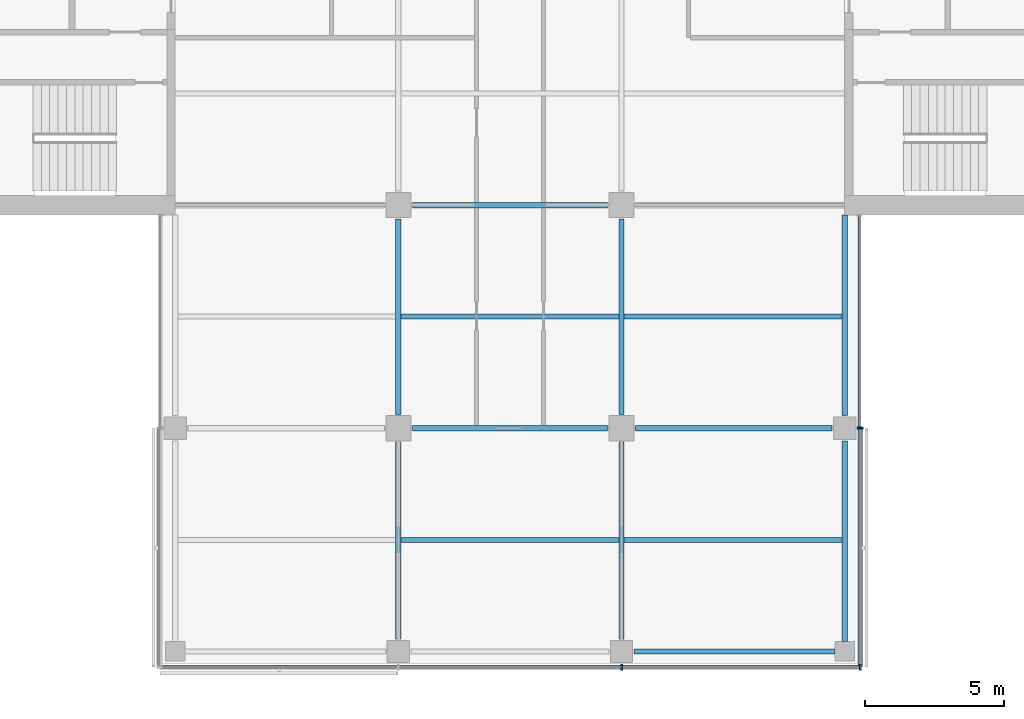
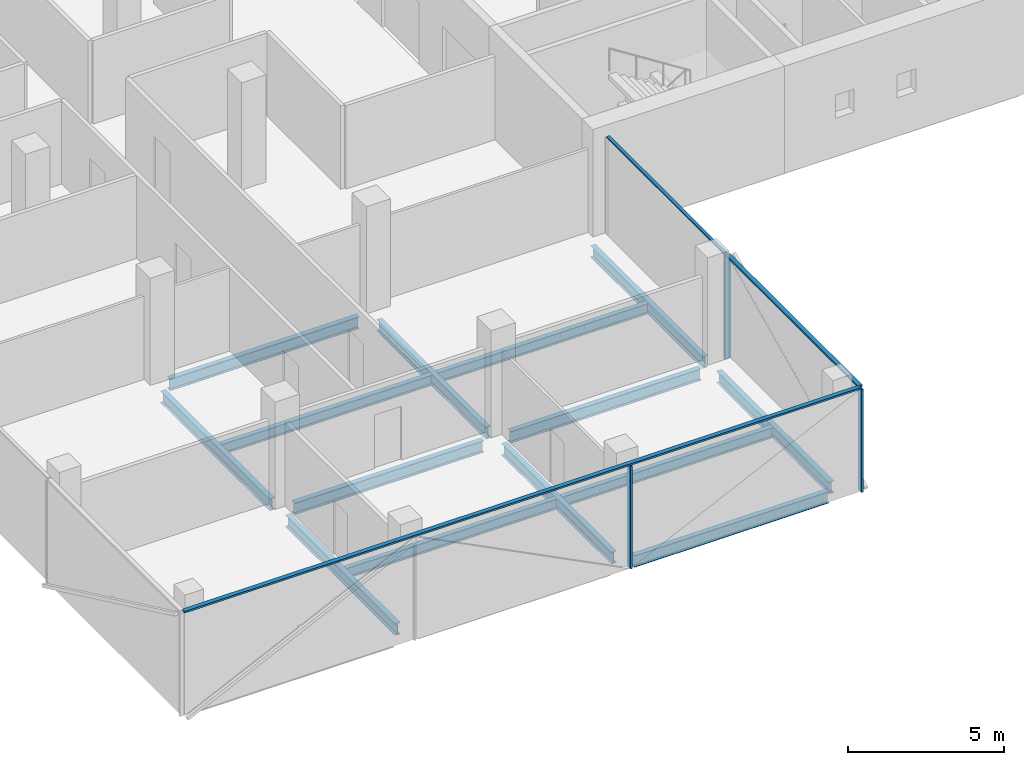
# One storey, part 5 of 22: 14 beams, 7 members, 3 elements without a shape of their own.
"""IFC4 building model written with IfcOpenShell, lengths in metres."""

import ifcopenshell
import ifcopenshell.guid

model = None  # the IFC model being written
_history = None  # IfcOwnerHistory: only IFC2X3 demands one
_inside = {}  # id of a spatial element -> (the spatial element, [elements in it])
_under = {}  # id of a project, library or spatial element -> (it, [spatial elements below it])
_declared = {}  # id of a project -> (the project, [libraries it declares])
_typed = {}  # id of a type object -> (the type object, [elements of that type])
_made_of = {}  # id of a material, layer set ... -> (it, [elements and type objects made of it])


def new_model(schema):
    """Start an empty IFC model of exactly this schema.

    Asked for "IFC4X3", IfcOpenShell would pick the latest addendum, in which some entities
    have other attributes; the version numbers below select the first issue.
    IFC2X3 requires an IfcOwnerHistory on every rooted entity: one is made here for all.
    """
    global model, _history
    if schema == "IFC4X3":
        model = ifcopenshell.file(schema_version=(4, 3, 0, 0))
    else:
        model = ifcopenshell.file(schema=schema)
    _inside.clear()
    _under.clear()
    _declared.clear()
    _typed.clear()
    _made_of.clear()
    _history = None
    if model.schema == "IFC2X3":
        org = make("IfcOrganization", Name="unknown")
        user = make(
            "IfcPersonAndOrganization",
            ThePerson=make("IfcPerson", FamilyName="unknown"),
            TheOrganization=org,
        )
        app = make(
            "IfcApplication",
            ApplicationDeveloper=org,
            Version="unknown",
            ApplicationFullName="unknown",
            ApplicationIdentifier="unknown",
        )
        _history = make(
            "IfcOwnerHistory",
            OwningUser=user,
            OwningApplication=app,
            ChangeAction="ADDED",
            CreationDate=0,
        )
    return model


def make(cls, **values):
    """One entity of the class cls with the attributes given. An attribute that is None is left unset."""
    return model.create_entity(
        cls, **{name: value for name, value in values.items() if value is not None}
    )


def rooted(cls, **values):
    """An entity with a GlobalId (a new one), such as an element, a storey or a relation."""
    return make(cls, GlobalId=ifcopenshell.guid.new(), OwnerHistory=_history, **values)


def si_unit(unit_type, name, prefix=None):
    """IfcSIUnit, for example si_unit("LENGTHUNIT", "METRE", prefix="MILLI")."""
    return make("IfcSIUnit", UnitType=unit_type, Prefix=prefix, Name=name)


def assignment(units):
    """IfcUnitAssignment: the units of a project."""
    return None if units is None else make("IfcUnitAssignment", Units=units)


def point(xyz):
    """IfcCartesianPoint."""
    return None if xyz is None else make("IfcCartesianPoint", Coordinates=xyz)


def direction(xyz):
    """IfcDirection."""
    return None if xyz is None else make("IfcDirection", DirectionRatios=xyz)


def frame(location, z_axis=None, x_axis=None):
    """IfcAxis2Placement3D, a coordinate frame: its origin and axes. An axis left out is left unset."""
    return make(
        "IfcAxis2Placement3D",
        Location=point(location),
        Axis=direction(z_axis),
        RefDirection=direction(x_axis),
    )


def frame_2d(location, x_axis=None):
    """IfcAxis2Placement2D, a coordinate frame in the plane: its origin and x axis."""
    return make(
        "IfcAxis2Placement2D", Location=point(location), RefDirection=direction(x_axis)
    )


def origin():
    """The frame at (0, 0, 0) with its axes left unset."""
    return frame((0.0, 0.0, 0.0))


def origin_2d():
    """The frame at (0, 0) in the plane with its x axis left unset."""
    return frame_2d((0.0, 0.0))


def place(relative_to, where):
    """IfcLocalPlacement: puts the frame where relative to a parent placement (None: the world)."""
    return make(
        "IfcLocalPlacement", PlacementRelTo=relative_to, RelativePlacement=where
    )


def context(
    kind, dimensions, precision=None, world=None, true_north=None, identifier=None
):
    """IfcGeometricRepresentationContext, for example the 3D "Model" context."""
    return make(
        "IfcGeometricRepresentationContext",
        ContextIdentifier=identifier,
        ContextType=kind,
        CoordinateSpaceDimension=dimensions,
        Precision=precision,
        WorldCoordinateSystem=world,
        TrueNorth=true_north,
    )


def subcontext(parent, identifier, kind, view, scale=None):
    """IfcGeometricRepresentationSubContext, for example "Body" below "Model"."""
    return make(
        "IfcGeometricRepresentationSubContext",
        ContextIdentifier=identifier,
        ContextType=kind,
        ParentContext=parent,
        TargetScale=scale,
        TargetView=view,
    )


def project(units=None, contexts=None):
    """IfcProject with its units and contexts."""
    return rooted(
        "IfcProject",
        Name="project",
        RepresentationContexts=contexts,
        UnitsInContext=assignment(units),
    )


def spatial(cls, under=None, at=None, **own):
    """A site, building, storey or space (cls), placed at a placement, below another one or the project."""
    s = rooted(cls, ObjectPlacement=at, **own)
    if under is not None:
        _under.setdefault(under.id(), (under, []))[1].append(s)
    return s


def profile(cls, at=None, kind="AREA", **sizes):
    """A parametric profile (cls). Its sizes go by their IFC names, for example OverallWidth=200.0."""
    return make(cls, ProfileType=kind, Position=at, **sizes)


def rectangle(**sizes):
    """IfcRectangleProfileDef."""
    return profile("IfcRectangleProfileDef", **sizes)


def i_section(**sizes):
    """IfcIShapeProfileDef."""
    return profile("IfcIShapeProfileDef", **sizes)


def extrude(swept, where, along, depth):
    """IfcExtrudedAreaSolid: the profile swept, set in the frame where, extruded along a direction by depth."""
    return make(
        "IfcExtrudedAreaSolid",
        SweptArea=swept,
        Position=where,
        ExtrudedDirection=direction(along),
        Depth=depth,
    )


def shape(context_of_items, identifier, shape_type, items):
    """IfcShapeRepresentation: the items that make up one representation, for example the "Body"."""
    return make(
        "IfcShapeRepresentation",
        ContextOfItems=context_of_items,
        RepresentationIdentifier=identifier,
        RepresentationType=shape_type,
        Items=items,
    )


def material(Name=None, Category=None):
    """IfcMaterial."""
    return make("IfcMaterial", Name=Name, Category=Category)


def material_profile(
    of_material, cross_section, Name=None, Category=None, Priority=None
):
    """IfcMaterialProfile: a cross section and its material."""
    return make(
        "IfcMaterialProfile",
        Name=Name,
        Material=of_material,
        Profile=cross_section,
        Priority=Priority,
        Category=Category,
    )


def profile_set(profiles, Name=None, composite=None):
    """IfcMaterialProfileSet."""
    return make(
        "IfcMaterialProfileSet",
        Name=Name,
        MaterialProfiles=profiles,
        CompositeProfile=composite,
    )


def made_of(thing, what):
    """Note that an element or type object is made of a material, layer set ...; save() writes the relation."""
    if what is not None:
        _made_of.setdefault(what.id(), (what, []))[1].append(thing)
    return thing


def type_object(cls, material=None, **own):
    """A type object (cls), such as IfcWallType, which elements share."""
    return made_of(rooted(cls, **own), material)


def element(
    cls,
    number,
    at=None,
    inside=None,
    cuts=None,
    type_object=None,
    material=None,
    context=None,
    identifier="Body",
    shape_type=None,
    held_by="IfcProductDefinitionShape",
    body=None,
    shapes=None,
    **own,
):
    """One element of the class cls, such as IfcWall. Its Tag is "e" and its number.

    at: its placement. inside: the storey or other place that contains it. cuts: it is an
    opening in that element (IfcRelVoidsElement). A single representation is given by context,
    identifier, shape_type and body (its items); several are given by shapes. held_by: the class
    of the entity that holds the representations. save() writes the other relations.
    """
    e = rooted(cls, Tag="e%d" % number, ObjectPlacement=at, **own)
    if body is not None:
        shapes = [shape(context, identifier, shape_type, body)]
    if shapes is not None:
        e.Representation = make(held_by, Representations=shapes)
    if inside is not None:
        _inside.setdefault(inside.id(), (inside, []))[1].append(e)
    if cuts is not None:
        rooted(
            "IfcRelVoidsElement", RelatingBuildingElement=cuts, RelatedOpeningElement=e
        )
    if type_object is not None:
        _typed.setdefault(type_object.id(), (type_object, []))[1].append(e)
    return made_of(e, material)


def aggregate(whole, parts):
    """IfcRelAggregates: a whole, such as a stair, and the parts it consists of."""
    return rooted("IfcRelAggregates", RelatingObject=whole, RelatedObjects=parts)


def save(model, path):
    """Write the relations noted so far, then the file.

    IfcRelAggregates (storeys below a building ...), IfcRelContainedInSpatialStructure (elements
    in a storey), IfcRelDefinesByType, IfcRelAssociatesMaterial and IfcRelDeclares: one each for
    every whole, place, type object, material and project.
    """
    for whole, parts in _under.values():
        aggregate(whole, parts)
    for where, things in _inside.values():
        rooted(
            "IfcRelContainedInSpatialStructure",
            RelatedElements=things,
            RelatingStructure=where,
        )
    for kind, things in _typed.values():
        rooted("IfcRelDefinesByType", RelatedObjects=things, RelatingType=kind)
    for what, things in _made_of.values():
        rooted("IfcRelAssociatesMaterial", RelatedObjects=things, RelatingMaterial=what)
    for by, libraries in _declared.values():
        rooted("IfcRelDeclares", RelatingContext=by, RelatedDefinitions=libraries)
    model.write(path)


model = new_model("IFC4")

# Units and contexts
model_context = context("Model", 3, precision=1e-05, world=origin(), true_north=direction((0.0, 1.0)))
body_context = subcontext(model_context, "Body", "Model", "MODEL_VIEW")
ifc_project = project(units=[si_unit("LENGTHUNIT", "METRE"), si_unit("AREAUNIT", "SQUARE_METRE"), si_unit("VOLUMEUNIT", "CUBIC_METRE"), si_unit("PLANEANGLEUNIT", "RADIAN"), si_unit("MASSUNIT", "GRAM", prefix="KILO")], contexts=[model_context])

# Site, building, storey
site_placement = place(None, origin())
site = spatial("IfcSite", under=ifc_project, at=site_placement, CompositionType="ELEMENT")
building_placement = place(site_placement, origin())
building = spatial("IfcBuilding", under=site, at=building_placement, Name="Crosswind Convention Tower", CompositionType="ELEMENT")
storey_placement = place(building_placement, frame((0.0, 0.0, 167.300048828125)))
storey = spatial("IfcBuildingStorey", under=building, at=storey_placement, Name="L35", CompositionType="ELEMENT", Elevation=167.300048828125)

# Beams
ifc_material_1 = material(Name="Steel S355", Category="steel")
ifc_material_profile_1 = material_profile(ifc_material_1, i_section(OverallWidth=0.18994140625, OverallDepth=0.45361328125, WebThickness=0.008544921875, FlangeThickness=0.0126953125, FilletRadius=0.01025390625, at=origin_2d()), Name="UB 457x191x67")
ifc_profile_set_1 = profile_set([ifc_material_profile_1], Name="Steel S355")
beam_type_1 = type_object("IfcBeamType", Name="Edge beam UB 457x191x67", PredefinedType="SPANDREL", material=ifc_profile_set_1)
for number, where, z_axis, x_axis, name in (
    (1, (129.449951171875, 72.0, -0.52685546875), (1.0, 0.0, 0.0), (0.0, 1.0, 0.0), "B16 L35 edge beam 14"),
    (2, (137.0, 72.35009765625, -0.52685546875), (0.0, 1.0, 0.0), (-1.0, 0.0, 0.0), "B16 L35 edge beam 16"),
    (3, (137.0, 80.449951171875, -0.52685546875), (0.0, 1.0, 0.0), (-1.0, 0.0, 0.0), "B16 L35 edge beam 17"),
):
    element("IfcBeam", number, at=place(storey_placement, frame(where, z_axis=z_axis, x_axis=x_axis)), inside=storey, type_object=beam_type_1, Name=name, PredefinedType="SPANDREL", context=body_context, shape_type="SweptSolid", body=[
        extrude(i_section(OverallWidth=0.18994140625, OverallDepth=0.45361328125, WebThickness=0.008544921875, FlangeThickness=0.0126953125, FilletRadius=0.01025390625, at=origin_2d()), origin(), (0.0, 0.0, 1.0), 7.199951171875),
    ])
ifc_material_profile_2 = material_profile(ifc_material_1, i_section(OverallWidth=0.19140625, OverallDepth=0.460205078125, WebThickness=0.010009765625, FlangeThickness=0.01611328125, FilletRadius=0.01025390625, at=origin_2d()), Name="UB 457x191x82")
ifc_profile_set_2 = profile_set([ifc_material_profile_2], Name="Steel S355")
beam_type_2 = type_object("IfcBeamType", Name="Girder UB 457x191x82", PredefinedType="BEAM", material=ifc_profile_set_2)
beam_1_placement = place(storey_placement, frame((121.0, 72.449951171875, -0.530029296875), z_axis=(0.0, 1.0, 0.0), x_axis=(-1.0, 0.0, 0.0)))
element("IfcBeam", 4, at=beam_1_placement, inside=storey, type_object=beam_type_2, Name="B3 L35 girder 3", PredefinedType="BEAM", context=body_context, shape_type="SweptSolid", body=[
    extrude(i_section(OverallWidth=0.19140625, OverallDepth=0.460205078125, WebThickness=0.010009765625, FlangeThickness=0.01611328125, FilletRadius=0.01025390625, at=origin_2d()), origin(), (0.0, 0.0, 1.0), 7.050048828125),
])
for number, where, z_axis, x_axis, name in (
    (5, (121.0, 80.5, -0.530029296875), (0.0, 1.0, 0.0), (-1.0, 0.0, 0.0), "B3 L35 girder 4"),
    (6, (121.5, 80.0, -0.530029296875), (1.0, 0.0, 0.0), (0.0, 1.0, 0.0), "B3 L35 girder 10"),
    (7, (121.5, 88.0, -0.530029296875), (1.0, 0.0, 0.0), (0.0, 1.0, 0.0), "B3 L35 girder 11"),
):
    element("IfcBeam", number, at=place(storey_placement, frame(where, z_axis=z_axis, x_axis=x_axis)), inside=storey, type_object=beam_type_2, Name=name, PredefinedType="BEAM", context=body_context, shape_type="SweptSolid", body=[
        extrude(i_section(OverallWidth=0.19140625, OverallDepth=0.460205078125, WebThickness=0.010009765625, FlangeThickness=0.01611328125, FilletRadius=0.01025390625, at=origin_2d()), origin(), (0.0, 0.0, 1.0), 7.0),
    ])
beam_2_placement = place(storey_placement, frame((129.0, 72.449951171875, -0.530029296875), z_axis=(0.0, 1.0, 0.0), x_axis=(-1.0, 0.0, 0.0)))
element("IfcBeam", 8, at=beam_2_placement, inside=storey, type_object=beam_type_2, Name="B3 L35 girder 16", PredefinedType="BEAM", context=body_context, shape_type="SweptSolid", body=[
    extrude(i_section(OverallWidth=0.19140625, OverallDepth=0.460205078125, WebThickness=0.010009765625, FlangeThickness=0.01611328125, FilletRadius=0.01025390625, at=origin_2d()), origin(), (0.0, 0.0, 1.0), 7.050048828125),
])
beam_3_placement = place(storey_placement, frame((129.0, 80.5, -0.530029296875), z_axis=(0.0, 1.0, 0.0), x_axis=(-1.0, 0.0, 0.0)))
element("IfcBeam", 9, at=beam_3_placement, inside=storey, type_object=beam_type_2, Name="B3 L35 girder 17", PredefinedType="BEAM", context=body_context, shape_type="SweptSolid", body=[
    extrude(i_section(OverallWidth=0.19140625, OverallDepth=0.460205078125, WebThickness=0.010009765625, FlangeThickness=0.01611328125, FilletRadius=0.01025390625, at=origin_2d()), origin(), (0.0, 0.0, 1.0), 7.0),
])
beam_4_placement = place(storey_placement, frame((129.5, 80.0, -0.530029296875), z_axis=(1.0, 0.0, 0.0), x_axis=(0.0, 1.0, 0.0)))
element("IfcBeam", 10, at=beam_4_placement, inside=storey, type_object=beam_type_2, Name="B3 L35 girder 23", PredefinedType="BEAM", context=body_context, shape_type="SweptSolid", body=[
    extrude(i_section(OverallWidth=0.19140625, OverallDepth=0.460205078125, WebThickness=0.010009765625, FlangeThickness=0.01611328125, FilletRadius=0.01025390625, at=origin_2d()), origin(), (0.0, 0.0, 1.0), 7.050048828125),
])

# Curtain wall, member
ifc_material_2 = material(Name="Aluminium unitised curtain wall", Category="aluminium")
curtain_wall_type_1 = type_object("IfcCurtainWallType", Name="CORE END SLOT WALL 160", PredefinedType="USERDEFINED", material=ifc_material_2)
curtain_wall_1_placement = place(storey_placement, origin())
curtain_wall_1 = element("IfcCurtainWall", 11, at=curtain_wall_1_placement, inside=storey, type_object=curtain_wall_type_1, Name="CW6 L35 S-E.1-2 slot", ObjectType="UNITISED", PredefinedType="USERDEFINED")
ifc_material_3 = material(Name="Aluminium mullion", Category="aluminium")
ifc_material_profile_3 = material_profile(ifc_material_3, rectangle(XDim=0.159912109375, YDim=0.050048828125, at=origin_2d()), Name="AL 160X50")
ifc_profile_set_3 = profile_set([ifc_material_profile_3], Name="Aluminium mullion")
member_type_1 = type_object("IfcMemberType", Name="MULLION 50X160", PredefinedType="MULLION", material=ifc_profile_set_3)
member_1_placement = place(storey_placement, frame((137.530029296875, 80.02490234375, -0.300048828125), z_axis=(0.0, 0.0, 1.0), x_axis=(1.0, 0.0, 0.0)))
member_1 = element("IfcMember", 12, at=member_1_placement, type_object=member_type_1, Name="CW6 mullion 1", PredefinedType="MULLION", context=body_context, shape_type="SweptSolid", body=[
    extrude(rectangle(XDim=0.159912109375, YDim=0.050048828125, at=origin_2d()), origin(), (0.0, 0.0, 1.0), 4.050048828125),
])

# Curtain wall, members
curtain_wall_type_2 = type_object("IfcCurtainWallType", Name="OFFICE UNITISED WALL 220", PredefinedType="USERDEFINED", material=ifc_material_2)
curtain_wall_2_placement = place(storey_placement, origin())
curtain_wall_2 = element("IfcCurtainWall", 13, at=curtain_wall_2_placement, inside=storey, type_object=curtain_wall_type_2, Name="CW3 L35 S-TIP 1", ObjectType="UNITISED", PredefinedType="USERDEFINED")
ifc_material_profile_4 = material_profile(ifc_material_3, rectangle(XDim=0.219970703125, YDim=0.070068359375, at=origin_2d()), Name="AL 220X70")
ifc_profile_set_4 = profile_set([ifc_material_profile_4], Name="Aluminium mullion")
member_type_2 = type_object("IfcMemberType", Name="MULLION 70X220", PredefinedType="MULLION", material=ifc_profile_set_4)
member_2_placement = place(storey_placement, frame((129.0, 71.43994140625, -0.300048828125), z_axis=(0.0, 0.0, 1.0), x_axis=(0.0, -1.0, 0.0)))
member_2 = element("IfcMember", 14, at=member_2_placement, type_object=member_type_2, Name="CW3 mullion 3", PredefinedType="MULLION", context=body_context, shape_type="SweptSolid", body=[
    extrude(rectangle(XDim=0.219970703125, YDim=0.070068359375, at=origin_2d()), origin(), (0.0, 0.0, 1.0), 4.030029296875),
])
member_3_placement = place(storey_placement, frame((137.56005859375, 71.43994140625, -0.300048828125), z_axis=(0.0, 0.0, 1.0), x_axis=(0.0, -1.0, 0.0)))
member_3 = element("IfcMember", 15, at=member_3_placement, type_object=member_type_2, Name="CW3 mullion 4", PredefinedType="MULLION", context=body_context, shape_type="SweptSolid", body=[
    extrude(rectangle(XDim=0.219970703125, YDim=0.070068359375, at=origin_2d()), origin(), (0.0, 0.0, 1.0), 4.030029296875),
])

# Curtain wall, member
curtain_wall_3_placement = place(storey_placement, origin())
curtain_wall_3 = element("IfcCurtainWall", 16, at=curtain_wall_3_placement, inside=storey, type_object=curtain_wall_type_2, Name="CW3 L35 S-E 1", ObjectType="UNITISED", PredefinedType="USERDEFINED")
member_4_placement = place(storey_placement, frame((137.56005859375, 80.0, -0.300048828125), z_axis=(0.0, 0.0, 1.0), x_axis=(1.0, 0.0, 0.0)))
member_4 = element("IfcMember", 17, at=member_4_placement, type_object=member_type_2, Name="CW3 mullion 2", PredefinedType="MULLION", context=body_context, shape_type="SweptSolid", body=[
    extrude(rectangle(XDim=0.219970703125, YDim=0.070068359375, at=origin_2d()), origin(), (0.0, 0.0, 1.0), 4.030029296875),
])

# Beams
ifc_material_profile_5 = material_profile(ifc_material_1, i_section(OverallWidth=0.177734375, OverallDepth=0.406494140625, WebThickness=0.0078125, FlangeThickness=0.0126953125, FilletRadius=0.01025390625, at=origin_2d()), Name="UB 406x178x60")
ifc_profile_set_5 = profile_set([ifc_material_profile_5], Name="Steel S355")
beam_type_3 = type_object("IfcBeamType", Name="Secondary beam UB 406x178x60", PredefinedType="JOIST", material=ifc_profile_set_5)
for number, where, z_axis, x_axis, name in (
    (18, (121.095703125, 76.0, -0.503173828125), (1.0, 0.0, 0.0), (0.0, 1.0, 0.0), "B10 L35 secondary beam 11"),
    (19, (121.095703125, 84.0, -0.503173828125), (1.0, 0.0, 0.0), (0.0, 1.0, 0.0), "B10 L35 secondary beam 12"),
):
    element("IfcBeam", number, at=place(storey_placement, frame(where, z_axis=z_axis, x_axis=x_axis)), inside=storey, type_object=beam_type_3, Name=name, PredefinedType="JOIST", context=body_context, shape_type="SweptSolid", body=[
        extrude(i_section(OverallWidth=0.177734375, OverallDepth=0.406494140625, WebThickness=0.0078125, FlangeThickness=0.0126953125, FilletRadius=0.01025390625, at=origin_2d()), origin(), (0.0, 0.0, 1.0), 7.80859375),
    ])
for number, where, z_axis, x_axis, name in (
    (20, (129.095703125, 76.0, -0.503173828125), (1.0, 0.0, 0.0), (0.0, 1.0, 0.0), "B10 L35 secondary beam 18"),
    (21, (129.095703125, 84.0, -0.503173828125), (1.0, 0.0, 0.0), (0.0, 1.0, 0.0), "B10 L35 secondary beam 19"),
):
    element("IfcBeam", number, at=place(storey_placement, frame(where, z_axis=z_axis, x_axis=x_axis)), inside=storey, type_object=beam_type_3, Name=name, PredefinedType="JOIST", context=body_context, shape_type="SweptSolid", body=[
        extrude(i_section(OverallWidth=0.177734375, OverallDepth=0.406494140625, WebThickness=0.0078125, FlangeThickness=0.0126953125, FilletRadius=0.01025390625, at=origin_2d()), origin(), (0.0, 0.0, 1.0), 7.809326171875),
    ])

# Member
ifc_material_4 = material(Name="Aluminium transom", Category="aluminium")
ifc_material_profile_6 = material_profile(ifc_material_4, rectangle(XDim=0.1201171875, YDim=0.050048828125, at=origin_2d()), Name="AL 120X50")
ifc_profile_set_6 = profile_set([ifc_material_profile_6], Name="Aluminium transom")
member_type_3 = type_object("IfcMemberType", Name="TRANSOM 50X120", PredefinedType="USERDEFINED", material=ifc_profile_set_6)
member_5_placement = place(storey_placement, frame((137.530029296875, 80.050048828125, 3.77490234375), z_axis=(0.0, 1.0, 0.0), x_axis=(-1.0, 0.0, 0.0)))
member_5 = element("IfcMember", 22, at=member_5_placement, type_object=member_type_3, Name="CW6 transom", ObjectType="TRANSOM", PredefinedType="USERDEFINED", context=body_context, shape_type="SweptSolid", body=[
    extrude(rectangle(XDim=0.1201171875, YDim=0.050048828125, at=origin_2d()), origin(), (0.0, 0.0, 1.0), 7.550048828125),
])

aggregate(curtain_wall_1, [member_1, member_5])

ifc_material_profile_7 = material_profile(ifc_material_4, rectangle(XDim=0.159912109375, YDim=0.070068359375, at=origin_2d()), Name="AL 160X70")
ifc_profile_set_7 = profile_set([ifc_material_profile_7], Name="Aluminium transom")
member_type_4 = type_object("IfcMemberType", Name="TRANSOM 70X160", PredefinedType="USERDEFINED", material=ifc_profile_set_7)
member_6_placement = place(storey_placement, frame((112.47509765625, 71.43994140625, 3.764892578125), z_axis=(1.0, 0.0, 0.0), x_axis=(0.0, 1.0, 0.0)))
member_6 = element("IfcMember", 23, at=member_6_placement, type_object=member_type_4, Name="CW3 transom", ObjectType="TRANSOM", PredefinedType="USERDEFINED", context=body_context, shape_type="SweptSolid", body=[
    extrude(rectangle(XDim=0.159912109375, YDim=0.070068359375, at=origin_2d()), origin(), (0.0, 0.0, 1.0), 25.0498046875),
])

aggregate(curtain_wall_2, [member_2, member_3, member_6])

member_7_placement = place(storey_placement, frame((137.56005859375, 71.47509765625, 3.764892578125), z_axis=(0.0, 1.0, 0.0), x_axis=(-1.0, 0.0, 0.0)))
member_7 = element("IfcMember", 24, at=member_7_placement, type_object=member_type_4, Name="CW3 transom", ObjectType="TRANSOM", PredefinedType="USERDEFINED", context=body_context, shape_type="SweptSolid", body=[
    extrude(rectangle(XDim=0.159912109375, YDim=0.070068359375, at=origin_2d()), origin(), (0.0, 0.0, 1.0), 8.489990234375),
])

aggregate(curtain_wall_3, [member_4, member_7])

save(model, "model.ifc")
